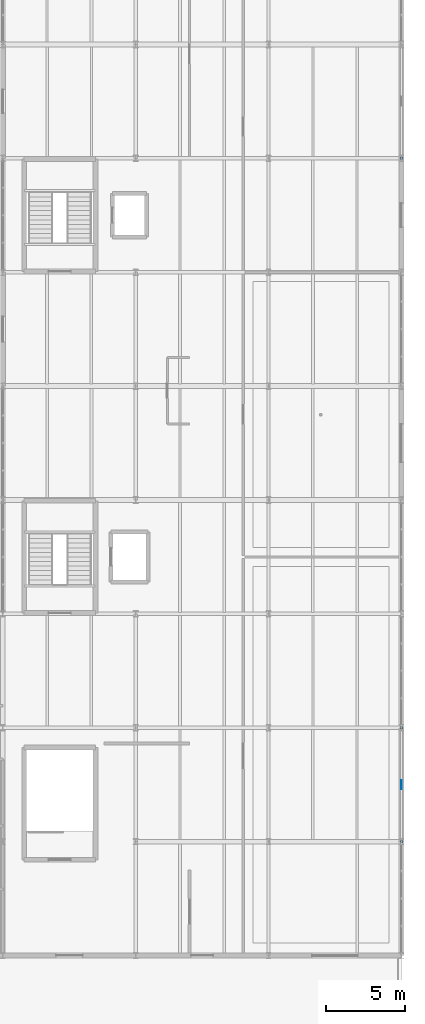
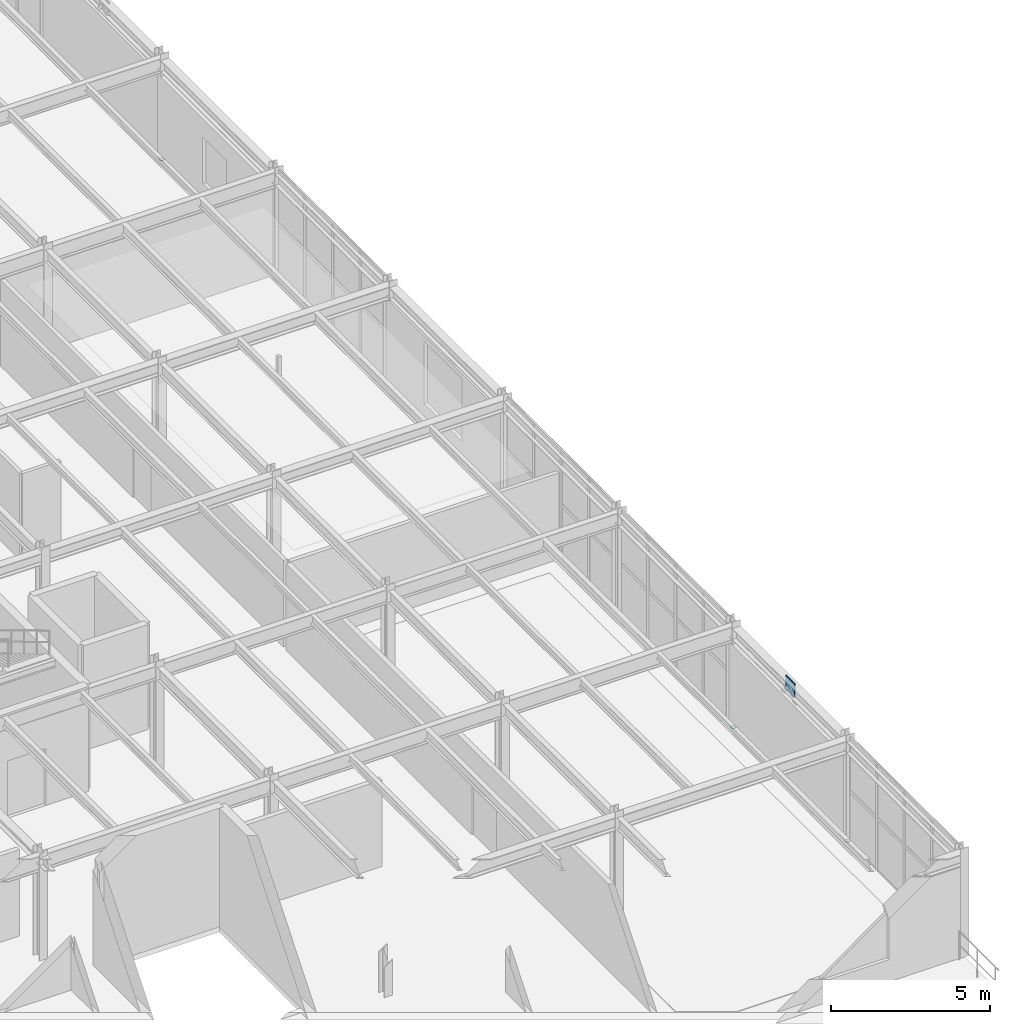
# One storey, part 124 of 134: 4 plates.
"""IFC4 building model written with IfcOpenShell, lengths in metres."""

from ifc_helpers import new_model, si_unit, derived_unit, direction, frame, origin, origin_2d, place, context, subcontext, project, spatial, rectangle, extrude, material, layer, layer_set, type_object, element, save


model = new_model("IFC4")

# Units and contexts
model_context = context("Model", 3, precision=1e-05, world=origin(), true_north=direction((0.0, 1.0)))
body_context = subcontext(model_context, "Body", "Model", "MODEL_VIEW")
ifc_project = project(units=[si_unit("LENGTHUNIT", "METRE"), si_unit("AREAUNIT", "SQUARE_METRE"), si_unit("VOLUMEUNIT", "CUBIC_METRE"), si_unit("PLANEANGLEUNIT", "RADIAN"), si_unit("MASSUNIT", "GRAM", prefix="KILO"), derived_unit("THERMALTRANSMITTANCEUNIT", [(si_unit("MASSUNIT", "GRAM", prefix="KILO"), 1), (si_unit("TIMEUNIT", "SECOND"), -3), (si_unit("THERMODYNAMICTEMPERATUREUNIT", "KELVIN"), -1)])], contexts=[model_context])

# Site, building, storey
site_placement = place(None, origin())
site = spatial("IfcSite", under=ifc_project, at=site_placement, CompositionType="ELEMENT")
building_placement = place(site_placement, origin())
building = spatial("IfcBuilding", under=site, at=building_placement, Name="Kharveza Railside Sports Centre", CompositionType="ELEMENT")
storey_placement = place(building_placement, frame((0.0, 0.0, 12.89990234375)))
storey = spatial("IfcBuildingStorey", under=building, at=storey_placement, Name="L03", CompositionType="ELEMENT", Elevation=12.89990234375)

# Plates
ifc_material = material(Name="Steel S355J2", Category="steel")
ifc_layer_1 = layer(ifc_material, 0.02001953125, Name="Steel S355J2")
ifc_layer_set_1 = layer_set([ifc_layer_1], Name="Steel S355J2")
plate_type_1 = type_object("IfcPlateType", Name="PL-EC11", PredefinedType="USERDEFINED", material=ifc_layer_set_1)
for number, where, z_axis, x_axis, name in (
    (1, (168.0, 21.60009765625, -0.010009765625), (0.0, 0.0, 1.0), (1.0, 0.0, 0.0), "PLT-EC-172"),
    (2, (168.0, 28.800048828125, -0.010009765625), (0.0, 0.0, 1.0), (1.0, 0.0, 0.0), "PLT-EC-173"),
    (3, (168.0, 64.800048828125, -0.010009765625), (0.0, 0.0, 1.0), (1.0, 0.0, 0.0), "PLT-EC-178"),
):
    element("IfcPlate", number, at=place(storey_placement, frame(where, z_axis=z_axis, x_axis=x_axis)), inside=storey, type_object=plate_type_1, Name=name, ObjectType="END_CAP_PLATE", PredefinedType="USERDEFINED", context=body_context, shape_type="SweptSolid", body=[
        extrude(rectangle(XDim=0.14990234375, YDim=0.14990234375, at=origin_2d()), origin(), (0.0, 0.0, 1.0), 0.02001953125),
    ])
ifc_layer_2 = layer(ifc_material, 0.028076171875, Name="Steel S355J2")
ifc_layer_set_2 = layer_set([ifc_layer_2], Name="Steel S355J2")
plate_type_2 = type_object("IfcPlateType", Name="PL-GS05", PredefinedType="USERDEFINED", material=ifc_layer_set_2)
plate_placement = place(storey_placement, frame((168.0, 25.199951171875, 3.469970703125), z_axis=(0.0, 0.0, 1.0), x_axis=(1.0, 0.0, 0.0)))
element("IfcPlate", 4, at=plate_placement, inside=storey, type_object=plate_type_2, Name="PLT-GS-CHEVN-017", ObjectType="GUSSET_PLATE", PredefinedType="USERDEFINED", context=body_context, shape_type="SweptSolid", body=[
    extrude(rectangle(XDim=0.028076171875, YDim=0.56005859375, at=origin_2d()), origin(), (0.0, 0.0, 1.0), 0.56005859375),
])

save(model, "model.ifc")
